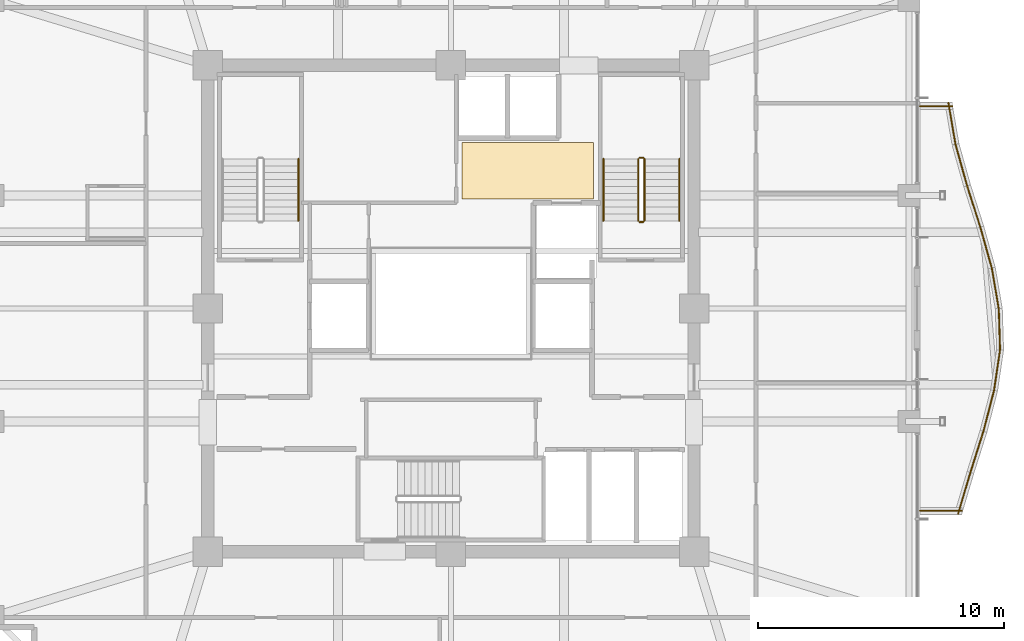
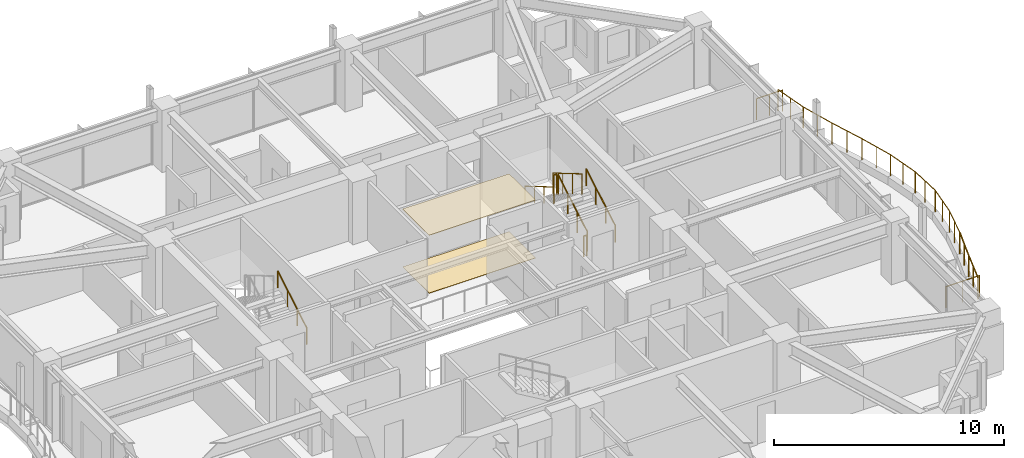
# One storey, part 35 of 35: 19 railings, 2 coverings.
"""IFC4 building model written with IfcOpenShell, lengths in metres."""

from ifc_helpers import new_model, si_unit, direction, frame, origin, origin_2d, place, context, subcontext, project, spatial, polyline, circle, outline, extrude, material, layer, layer_set, type_object, element, save


model = new_model("IFC4")

# Units and contexts
model_context = context("Model", 3, precision=1e-05, world=origin(), true_north=direction((0.0, 1.0)))
body_context = subcontext(model_context, "Body", "Model", "MODEL_VIEW")
ifc_project = project(units=[si_unit("LENGTHUNIT", "METRE"), si_unit("AREAUNIT", "SQUARE_METRE"), si_unit("VOLUMEUNIT", "CUBIC_METRE"), si_unit("PLANEANGLEUNIT", "RADIAN"), si_unit("MASSUNIT", "GRAM", prefix="KILO")], contexts=[model_context])

# Site, building, storey
site_placement = place(None, origin())
site = spatial("IfcSite", under=ifc_project, at=site_placement, CompositionType="ELEMENT")
building_placement = place(site_placement, origin())
building = spatial("IfcBuilding", under=site, at=building_placement, Name="Kolvaren Belvedere", CompositionType="ELEMENT")
storey_placement = place(building_placement, frame((0.0, 0.0, 163.5)))
storey = spatial("IfcBuildingStorey", under=building, at=storey_placement, Name="L47", CompositionType="ELEMENT", Elevation=163.5)

# Coverings
ifc_material_1 = material(Name="Acoustic perforated gypsum board", Category="gypsum")
ifc_layer_1 = layer(ifc_material_1, 0.02490234375)
ifc_layer_set_1 = layer_set([ifc_layer_1], Name="Acoustic perforated gypsum board")
covering_type_1 = type_object("IfcCoveringType", Name="COV-CEIL-GYP", PredefinedType="CEILING", material=ifc_layer_set_1)
covering_1_placement = place(storey_placement, frame((0.0, 0.0, 3.074951171875)))
element("IfcCovering", 1, at=covering_1_placement, inside=storey, type_object=covering_type_1, Name="L47 Lift Lobby Acoustic Baffle Ceiling", PredefinedType="CEILING", context=body_context, shape_type="SweptSolid", body=[
    extrude(outline(polyline([(0.449951171875, 4.449951171875), (5.800048828125, 4.449951171875), (5.800048828125, 6.75), (0.449951171875, 6.75), (0.449951171875, 4.449951171875)])), origin(), (0.0, 0.0, 1.0), 0.025146484375),
])
ifc_material_2 = material(Name="Engineered Pacific white oak", Category="timber")
ifc_layer_2 = layer(ifc_material_2, 0.02001953125)
ifc_layer_set_2 = layer_set([ifc_layer_2], Name="Engineered Pacific white oak")
covering_type_2 = type_object("IfcCoveringType", Name="COV-FLR-OAK", PredefinedType="FLOORING", material=ifc_layer_set_2)
covering_2_placement = place(storey_placement, origin())
element("IfcCovering", 2, at=covering_2_placement, inside=storey, type_object=covering_type_2, Name="L47 Lift Lobby Finish Flooring", PredefinedType="FLOORING", context=body_context, shape_type="SweptSolid", body=[
    extrude(outline(polyline([(0.449951171875, 4.449951171875), (5.800048828125, 4.449951171875), (5.800048828125, 6.75), (0.449951171875, 6.75), (0.449951171875, 4.449951171875)])), origin(), (0.0, 0.0, 1.0), 0.02001953125),
])

# Railings
ifc_material_3 = material(Name="Anodised pale-metal aluminium & laminated glass guard", Category="aluminium")
railing_type_1 = type_object("IfcRailingType", Name="RL-GUARD-1150", PredefinedType="GUARDRAIL", material=ifc_material_3)
railing_1_placement = place(storey_placement, frame((20.65185546875, -8.3544921875, 0.39990234375)))
element("IfcRailing", 3, at=railing_1_placement, inside=storey, type_object=railing_type_1, Name="L47 Exterior Deck Safety Guard BAL-E-1", PredefinedType="GUARDRAIL", context=body_context, shape_type="SweptSolid", body=[
    extrude(circle(Radius=0.02392578125, at=origin_2d()), frame((0.0, 0.0, 1.1259765625), z_axis=(0.284842289601, 0.958574394638, 0.0), x_axis=(-0.958574394638, 0.284842289601, 0.0)), (0.0, 0.0, 1.0), 1.752685546875),
    extrude(circle(Radius=0.02099609375, at=origin_2d()), origin(), (0.0, 0.0, 1.0), 1.101806640625),
    extrude(circle(Radius=0.02099609375, at=origin_2d()), frame((0.24951171875, 0.840087890625, 0.0)), (0.0, 0.0, 1.0), 1.101806640625),
    extrude(circle(Radius=0.02099609375, at=origin_2d()), frame((0.499267578125, 1.68017578125, 0.0)), (0.0, 0.0, 1.0), 1.101806640625),
])
railing_2_placement = place(storey_placement, frame((21.152099609375, -6.671630859375, 0.39990234375)))
element("IfcRailing", 4, at=railing_2_placement, inside=storey, type_object=railing_type_1, Name="L47 Exterior Deck Safety Guard BAL-E-2", PredefinedType="GUARDRAIL", context=body_context, shape_type="SweptSolid", body=[
    extrude(circle(Radius=0.02392578125, at=origin_2d()), frame((0.0, 0.0, 1.1259765625), z_axis=(0.302397356111, 0.953181954832, 0.0), x_axis=(-0.953181954832, 0.302397356111, 0.0)), (0.0, 0.0, 1.0), 1.762451171875),
    extrude(circle(Radius=0.02099609375, at=origin_2d()), origin(), (0.0, 0.0, 1.0), 1.101806640625),
    extrude(circle(Radius=0.02099609375, at=origin_2d()), frame((0.2666015625, 0.83984375, 0.0)), (0.0, 0.0, 1.0), 1.101806640625),
    extrude(circle(Radius=0.02099609375, at=origin_2d()), frame((0.532958984375, 1.679931640625, 0.0)), (0.0, 0.0, 1.0), 1.101806640625),
])
railing_3_placement = place(storey_placement, frame((21.6826171875, -5.0, 0.39990234375)))
element("IfcRailing", 5, at=railing_3_placement, inside=storey, type_object=railing_type_1, Name="L47 Exterior Deck Safety Guard BAL-E-3", PredefinedType="GUARDRAIL", context=body_context, shape_type="SweptSolid", body=[
    extrude(circle(Radius=0.02392578125, at=origin_2d()), frame((0.0, 0.0, 1.1259765625), z_axis=(0.250405556038, 0.968141031826, 0.0), x_axis=(-0.968141031826, 0.250405556038, 0.0)), (0.0, 0.0, 1.0), 1.7353515625),
    extrude(circle(Radius=0.02099609375, at=origin_2d()), origin(), (0.0, 0.0, 1.0), 1.101806640625),
    extrude(circle(Radius=0.02099609375, at=origin_2d()), frame((0.21728515625, 0.840087890625, 0.0)), (0.0, 0.0, 1.0), 1.101806640625),
    extrude(circle(Radius=0.02099609375, at=origin_2d()), frame((0.4345703125, 1.68017578125, 0.0)), (0.0, 0.0, 1.0), 1.101806640625),
])
railing_4_placement = place(storey_placement, frame((22.114013671875, -3.336669921875, 0.39990234375)))
element("IfcRailing", 6, at=railing_4_placement, inside=storey, type_object=railing_type_1, Name="L47 Exterior Deck Safety Guard BAL-E-4", PredefinedType="GUARDRAIL", context=body_context, shape_type="SweptSolid", body=[
    extrude(circle(Radius=0.02392578125, at=origin_2d()), frame((0.0, 0.0, 1.1259765625), z_axis=(0.145928579368, 0.989295127716, 0.0), x_axis=(-0.989295127716, 0.145928579368, 0.0)), (0.0, 0.0, 1.0), 1.697998046875),
    extrude(circle(Radius=0.02099609375, at=origin_2d()), origin(), (0.0, 0.0, 1.0), 1.101806640625),
    extrude(circle(Radius=0.02099609375, at=origin_2d()), frame((0.1240234375, 0.83984375, 0.0)), (0.0, 0.0, 1.0), 1.101806640625),
    extrude(circle(Radius=0.02099609375, at=origin_2d()), frame((0.247802734375, 1.679931640625, 0.0)), (0.0, 0.0, 1.0), 1.101806640625),
])
railing_5_placement = place(storey_placement, frame((22.360107421875, -1.68505859375, 0.39990234375)))
element("IfcRailing", 7, at=railing_5_placement, inside=storey, type_object=railing_type_1, Name="L47 Exterior Deck Safety Guard BAL-E-5", PredefinedType="GUARDRAIL", context=body_context, shape_type="SweptSolid", body=[
    extrude(circle(Radius=0.02392578125, at=origin_2d()), frame((0.0, 0.0, 1.1259765625), z_axis=(-0.031515868295, 0.999503251643, 0.0), x_axis=(-0.999503251643, -0.031515868295, 0.0)), (0.0, 0.0, 1.0), 1.680908203125),
    extrude(circle(Radius=0.02099609375, at=origin_2d()), origin(), (0.0, 0.0, 1.0), 1.101806640625),
    extrude(circle(Radius=0.02099609375, at=origin_2d()), frame((-0.0263671875, 0.840087890625, 0.0)), (0.0, 0.0, 1.0), 1.101806640625),
    extrude(circle(Radius=0.02099609375, at=origin_2d()), frame((-0.052978515625, 1.68017578125, 0.0)), (0.0, 0.0, 1.0), 1.101806640625),
])
railing_6_placement = place(storey_placement, frame((22.309326171875, -0.027099609375, 0.39990234375)))
element("IfcRailing", 8, at=railing_6_placement, inside=storey, type_object=railing_type_1, Name="L47 Exterior Deck Safety Guard BAL-E-6", PredefinedType="GUARDRAIL", context=body_context, shape_type="SweptSolid", body=[
    extrude(circle(Radius=0.02392578125, at=origin_2d()), frame((0.0, 0.0, 1.1259765625), z_axis=(-0.168856484225, 0.985640648378, 0.0), x_axis=(-0.985640648378, -0.168856484225, 0.0)), (0.0, 0.0, 1.0), 1.70458984375),
    extrude(circle(Radius=0.02099609375, at=origin_2d()), origin(), (0.0, 0.0, 1.0), 1.101806640625),
    extrude(circle(Radius=0.02099609375, at=origin_2d()), frame((-0.14404296875, 0.840087890625, 0.0)), (0.0, 0.0, 1.0), 1.101806640625),
    extrude(circle(Radius=0.02099609375, at=origin_2d()), frame((-0.287841796875, 1.68017578125, 0.0)), (0.0, 0.0, 1.0), 1.101806640625),
])
railing_7_placement = place(storey_placement, frame((22.025146484375, 1.63671875, 0.39990234375)))
element("IfcRailing", 9, at=railing_7_placement, inside=storey, type_object=railing_type_1, Name="L47 Exterior Deck Safety Guard BAL-E-7", PredefinedType="GUARDRAIL", context=body_context, shape_type="SweptSolid", body=[
    extrude(circle(Radius=0.02392578125, at=origin_2d()), frame((0.0, 0.0, 1.1259765625), z_axis=(-0.269764860108, 0.962926227834, 0.0), x_axis=(-0.962926227834, -0.269764860108, 0.0)), (0.0, 0.0, 1.0), 1.744873046875),
    extrude(circle(Radius=0.02099609375, at=origin_2d()), origin(), (0.0, 0.0, 1.0), 1.101806640625),
    extrude(circle(Radius=0.02099609375, at=origin_2d()), frame((-0.2353515625, 0.840087890625, 0.0)), (0.0, 0.0, 1.0), 1.101806640625),
    extrude(circle(Radius=0.02099609375, at=origin_2d()), frame((-0.470703125, 1.68017578125, 0.0)), (0.0, 0.0, 1.0), 1.101806640625),
])
railing_8_placement = place(storey_placement, frame((21.55615234375, 3.311279296875, 0.39990234375)))
element("IfcRailing", 10, at=railing_8_placement, inside=storey, type_object=railing_type_1, Name="L47 Exterior Deck Safety Guard BAL-E-8", PredefinedType="GUARDRAIL", context=body_context, shape_type="SweptSolid", body=[
    extrude(circle(Radius=0.02392578125, at=origin_2d()), frame((0.0, 0.0, 1.1259765625), z_axis=(-0.304534629099, 0.952501264923, 0.0), x_axis=(-0.952501264923, -0.304534629099, 0.0)), (0.0, 0.0, 1.0), 1.763671875),
    extrude(circle(Radius=0.02099609375, at=origin_2d()), origin(), (0.0, 0.0, 1.0), 1.101806640625),
    extrude(circle(Radius=0.02099609375, at=origin_2d()), frame((-0.2685546875, 0.83984375, 0.0)), (0.0, 0.0, 1.0), 1.101806640625),
    extrude(circle(Radius=0.02099609375, at=origin_2d()), frame((-0.537109375, 1.679931640625, 0.0)), (0.0, 0.0, 1.0), 1.101806640625),
])
railing_9_placement = place(storey_placement, frame((21.017333984375, 4.996826171875, 0.39990234375)))
element("IfcRailing", 11, at=railing_9_placement, inside=storey, type_object=railing_type_1, Name="L47 Exterior Deck Safety Guard BAL-E-9", PredefinedType="GUARDRAIL", context=body_context, shape_type="SweptSolid", body=[
    extrude(circle(Radius=0.02392578125, at=origin_2d()), frame((0.0, 0.0, 1.1259765625), z_axis=(-0.269801210823, 0.962916043401, 0.0), x_axis=(-0.962916043401, -0.269801210823, 0.0)), (0.0, 0.0, 1.0), 1.74462890625),
    extrude(circle(Radius=0.02099609375, at=origin_2d()), origin(), (0.0, 0.0, 1.0), 1.101806640625),
    extrude(circle(Radius=0.02099609375, at=origin_2d()), frame((-0.2353515625, 0.83984375, 0.0)), (0.0, 0.0, 1.0), 1.101806640625),
    extrude(circle(Radius=0.02099609375, at=origin_2d()), frame((-0.470703125, 1.679931640625, 0.0)), (0.0, 0.0, 1.0), 1.101806640625),
])
railing_10_placement = place(storey_placement, frame((20.54296875, 6.693115234375, 0.39990234375)))
element("IfcRailing", 12, at=railing_10_placement, inside=storey, type_object=railing_type_1, Name="L47 Exterior Deck Safety Guard BAL-E-10", PredefinedType="GUARDRAIL", context=body_context, shape_type="SweptSolid", body=[
    extrude(circle(Radius=0.02392578125, at=origin_2d()), frame((0.0, 0.0, 1.1259765625), z_axis=(-0.16888032392, 0.985636563949, 0.0), x_axis=(-0.985636563949, -0.16888032392, 0.0)), (0.0, 0.0, 1.0), 1.704345703125),
    extrude(circle(Radius=0.02099609375, at=origin_2d()), origin(), (0.0, 0.0, 1.0), 1.101806640625),
    extrude(circle(Radius=0.02099609375, at=origin_2d()), frame((-0.14404296875, 0.83984375, 0.0)), (0.0, 0.0, 1.0), 1.101806640625),
    extrude(circle(Radius=0.02099609375, at=origin_2d()), frame((-0.287841796875, 1.679931640625, 0.0)), (0.0, 0.0, 1.0), 1.101806640625),
])
railing_11_placement = place(storey_placement, frame((20.412841796875, 8.239990234375, 0.39990234375)))
element("IfcRailing", 13, at=railing_11_placement, inside=storey, type_object=railing_type_1, Name="L47 Exterior Deck Safety Guard BAL-E-11", PredefinedType="GUARDRAIL", context=body_context, shape_type="SweptSolid", body=[
    extrude(circle(Radius=0.02392578125, at=origin_2d()), frame((0.0, 0.0, 1.1259765625), z_axis=(-1.0, 0.0, 0.0), x_axis=(0.0, -1.0, 0.0)), (0.0, 0.0, 1.0), 1.312744140625),
    extrude(circle(Radius=0.02099609375, at=origin_2d()), origin(), (0.0, 0.0, 1.0), 1.101806640625),
    extrude(circle(Radius=0.02099609375, at=origin_2d()), frame((-0.65625, 0.0, 0.0)), (0.0, 0.0, 1.0), 1.101806640625),
    extrude(circle(Radius=0.02099609375, at=origin_2d()), frame((-1.312744140625, 0.0, 0.0)), (0.0, 0.0, 1.0), 1.101806640625),
])
railing_12_placement = place(storey_placement, frame((19.10009765625, -8.239990234375, 0.39990234375)))
element("IfcRailing", 14, at=railing_12_placement, inside=storey, type_object=railing_type_1, Name="L47 Exterior Deck Safety Guard BAL-E-22", PredefinedType="GUARDRAIL", context=body_context, shape_type="SweptSolid", body=[
    extrude(circle(Radius=0.02392578125, at=origin_2d()), frame((0.0, 0.0, 1.1259765625), z_axis=(1.0, 0.0, 0.0), x_axis=(0.0, 1.0, 0.0)), (0.0, 0.0, 1.0), 1.705078125),
    extrude(circle(Radius=0.02099609375, at=origin_2d()), origin(), (0.0, 0.0, 1.0), 1.101806640625),
    extrude(circle(Radius=0.02099609375, at=origin_2d()), frame((0.8525390625, 0.0, 0.0)), (0.0, 0.0, 1.0), 1.101806640625),
    extrude(circle(Radius=0.02099609375, at=origin_2d()), frame((1.705078125, 0.0, 0.0)), (0.0, 0.0, 1.0), 1.101806640625),
])
ifc_material_4 = material(Name="Brushed stainless-steel handrail", Category="steel")
railing_type_2 = type_object("IfcRailingType", Name="RL-HANDRAIL-920", PredefinedType="HANDRAIL", material=ifc_material_4)
for number, where, name in (
    (15, (-6.2099609375, 3.570068359375, 0.1650390625), "L47 ST-1 stair handrail 1"),
    (16, (9.300048828125, 3.570068359375, 0.1650390625), "L47 ST-2 stair handrail 1"),
):
    element("IfcRailing", number, at=place(storey_placement, frame(where)), inside=storey, type_object=railing_type_2, Name=name, PredefinedType="HANDRAIL", context=body_context, shape_type="SweptSolid", body=[
        extrude(circle(Radius=0.02392578125, at=origin_2d()), frame((0.0, 0.0, 0.8759765625), z_axis=(0.0, 0.861560626758, 0.507654692109), x_axis=(-1.0, 0.0, 0.0)), (0.0, 0.0, 1.0), 2.925048828125),
        extrude(circle(Radius=0.02099609375, at=origin_2d()), origin(), (0.0, 0.0, 1.0), 0.851806640625),
        extrude(circle(Radius=0.02099609375, at=origin_2d()), frame((0.0, 0.840087890625, 0.494873046875)), (0.0, 0.0, 1.0), 0.851806640625),
        extrude(circle(Radius=0.02099609375, at=origin_2d()), frame((0.0, 1.679931640625, 0.989990234375)), (0.0, 0.0, 1.0), 0.851806640625),
        extrude(circle(Radius=0.02099609375, at=origin_2d()), frame((0.0, 2.52001953125, 1.48486328125)), (0.0, 0.0, 1.0), 0.851806640625),
    ])
railing_13_placement = place(storey_placement, frame((6.2099609375, 6.090087890625, 1.81494140625)))
element("IfcRailing", 17, at=railing_13_placement, inside=storey, type_object=railing_type_2, Name="L47 ST-2 stair handrail 2", PredefinedType="HANDRAIL", context=body_context, shape_type="SweptSolid", body=[
    extrude(circle(Radius=0.02392578125, at=origin_2d()), frame((0.0, 0.0, 0.8759765625), z_axis=(0.0, -0.86152411907, 0.507716645641), x_axis=(1.0, 0.0, 0.0)), (0.0, 0.0, 1.0), 2.925048828125),
    extrude(circle(Radius=0.02099609375, at=origin_2d()), origin(), (0.0, 0.0, 1.0), 0.851806640625),
    extrude(circle(Radius=0.02099609375, at=origin_2d()), frame((0.0, -0.840087890625, 0.4951171875)), (0.0, 0.0, 1.0), 0.851806640625),
    extrude(circle(Radius=0.02099609375, at=origin_2d()), frame((0.0, -1.679931640625, 0.989990234375)), (0.0, 0.0, 1.0), 0.851806640625),
    extrude(circle(Radius=0.02099609375, at=origin_2d()), frame((0.0, -2.52001953125, 1.485107421875)), (0.0, 0.0, 1.0), 0.851806640625),
])
ifc_material_5 = material(Name="Painted tubular steel stair guard", Category="steel")
railing_type_3 = type_object("IfcRailingType", Name="RL-STGUARD-1100", PredefinedType="GUARDRAIL", material=ifc_material_5)
railing_14_placement = place(storey_placement, frame((7.8798828125, 3.570068359375, 0.1650390625)))
element("IfcRailing", 18, at=railing_14_placement, inside=storey, type_object=railing_type_3, Name="L47 ST-2 stair guard 1", PredefinedType="GUARDRAIL", context=body_context, shape_type="SweptSolid", body=[
    extrude(circle(Radius=0.02392578125, at=origin_2d()), frame((0.0, 0.0, 1.076171875), z_axis=(0.0, 0.861560626758, 0.507654692109), x_axis=(-1.0, 0.0, 0.0)), (0.0, 0.0, 1.0), 2.925048828125),
    extrude(circle(Radius=0.02099609375, at=origin_2d()), origin(), (0.0, 0.0, 1.0), 1.052001953125),
    extrude(circle(Radius=0.02099609375, at=origin_2d()), frame((0.0, 0.840087890625, 0.494873046875)), (0.0, 0.0, 1.0), 1.052001953125),
    extrude(circle(Radius=0.02099609375, at=origin_2d()), frame((0.0, 1.679931640625, 0.989990234375)), (0.0, 0.0, 1.0), 1.052001953125),
    extrude(circle(Radius=0.02099609375, at=origin_2d()), frame((0.0, 2.52001953125, 1.48486328125)), (0.0, 0.0, 1.0), 1.052001953125),
])
railing_15_placement = place(storey_placement, frame((7.830078125, 6.139892578125, 1.64990234375)))
element("IfcRailing", 19, at=railing_15_placement, inside=storey, type_object=railing_type_3, Name="L47 ST-2 stair guard 2", PredefinedType="GUARDRAIL", context=body_context, shape_type="SweptSolid", body=[
    extrude(circle(Radius=0.02392578125, at=origin_2d()), frame((0.0, 0.0, 1.076171875), z_axis=(-1.0, 0.0, 0.0), x_axis=(0.0, -1.0, 0.0)), (0.0, 0.0, 1.0), 0.150146484375),
    extrude(circle(Radius=0.02099609375, at=origin_2d()), origin(), (0.0, 0.0, 1.0), 1.052001953125),
    extrude(circle(Radius=0.02099609375, at=origin_2d()), frame((-0.150146484375, 0.0, 0.0)), (0.0, 0.0, 1.0), 1.052001953125),
])
railing_16_placement = place(storey_placement, frame((7.6298828125, 6.090087890625, 1.81494140625)))
element("IfcRailing", 20, at=railing_16_placement, inside=storey, type_object=railing_type_3, Name="L47 ST-2 stair guard 3", PredefinedType="GUARDRAIL", context=body_context, shape_type="SweptSolid", body=[
    extrude(circle(Radius=0.02392578125, at=origin_2d()), frame((0.0, 0.0, 1.076171875), z_axis=(0.0, -0.86152411907, 0.507716645641), x_axis=(1.0, 0.0, 0.0)), (0.0, 0.0, 1.0), 2.925048828125),
    extrude(circle(Radius=0.02099609375, at=origin_2d()), origin(), (0.0, 0.0, 1.0), 1.052001953125),
    extrude(circle(Radius=0.02099609375, at=origin_2d()), frame((0.0, -0.840087890625, 0.4951171875)), (0.0, 0.0, 1.0), 1.052001953125),
    extrude(circle(Radius=0.02099609375, at=origin_2d()), frame((0.0, -1.679931640625, 0.989990234375)), (0.0, 0.0, 1.0), 1.052001953125),
    extrude(circle(Radius=0.02099609375, at=origin_2d()), frame((0.0, -2.52001953125, 1.485107421875)), (0.0, 0.0, 1.0), 1.052001953125),
])
railing_17_placement = place(storey_placement, frame((7.830078125, 3.52001953125, 0.0)))
element("IfcRailing", 21, at=railing_17_placement, inside=storey, type_object=railing_type_3, Name="L47 ST-2 stair guard 4", PredefinedType="GUARDRAIL", context=body_context, shape_type="SweptSolid", body=[
    extrude(circle(Radius=0.02392578125, at=origin_2d()), frame((0.0, 0.0, 1.076171875), z_axis=(-1.0, 0.0, 0.0), x_axis=(0.0, -1.0, 0.0)), (0.0, 0.0, 1.0), 0.150146484375),
    extrude(circle(Radius=0.02099609375, at=origin_2d()), origin(), (0.0, 0.0, 1.0), 1.052001953125),
    extrude(circle(Radius=0.02099609375, at=origin_2d()), frame((-0.150146484375, 0.0, 0.0)), (0.0, 0.0, 1.0), 1.052001953125),
])

save(model, "model.ifc")
